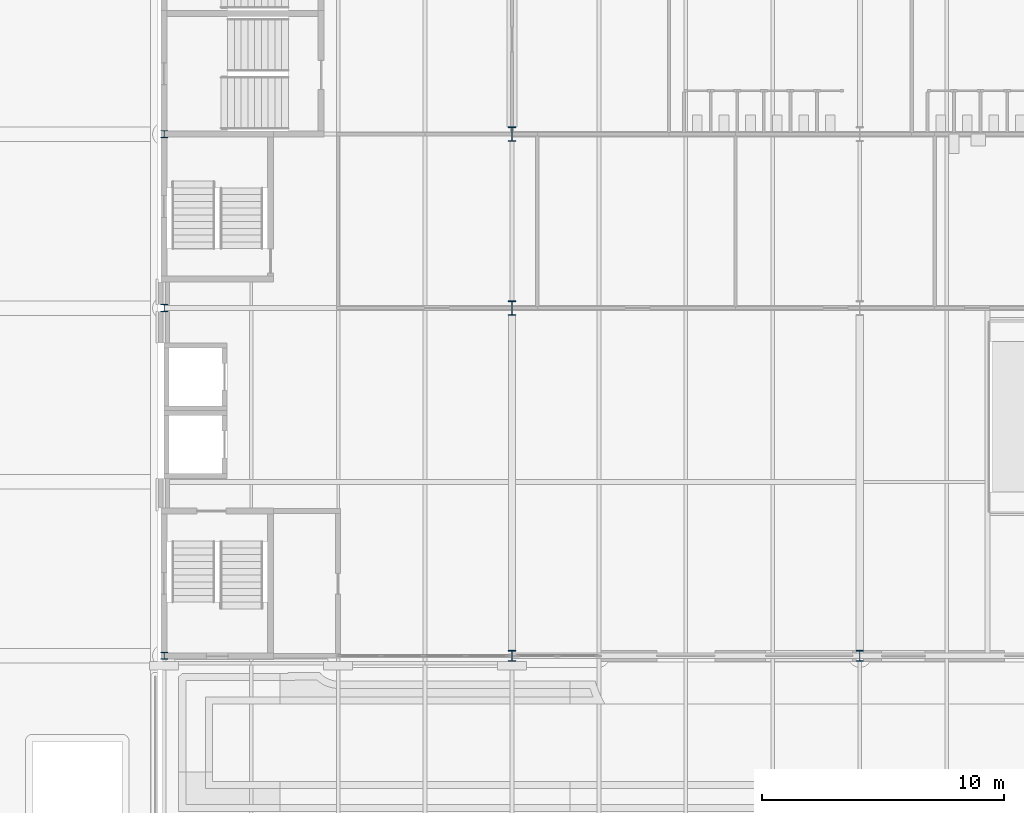
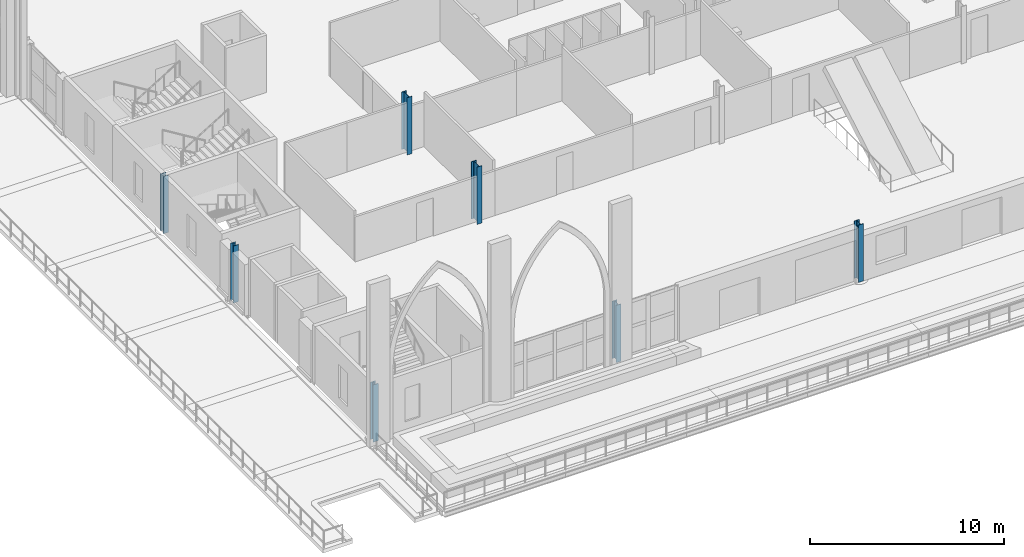
# One storey, part 1 of 143: 7 columns.
"""IFC4 building model written with IfcOpenShell, lengths in metres."""

from ifc_helpers import new_model, si_unit, direction, frame, origin, origin_2d, place, context, subcontext, project, spatial, i_section, extrude, material, material_profile, profile_set, type_object, element, save


model = new_model("IFC4")

# Units and contexts
model_context = context("Model", 3, precision=1e-05, world=origin(), true_north=direction((0.0, 1.0)))
body_context = subcontext(model_context, "Body", "Model", "MODEL_VIEW")
ifc_project = project(units=[si_unit("LENGTHUNIT", "METRE"), si_unit("AREAUNIT", "SQUARE_METRE"), si_unit("VOLUMEUNIT", "CUBIC_METRE"), si_unit("PLANEANGLEUNIT", "RADIAN"), si_unit("MASSUNIT", "GRAM", prefix="KILO")], contexts=[model_context])

# Site, building, storey
site_placement = place(None, origin())
site = spatial("IfcSite", under=ifc_project, at=site_placement, CompositionType="ELEMENT")
building_placement = place(site_placement, origin())
building = spatial("IfcBuilding", under=site, at=building_placement, Name="Kupolbacken Congress Centre", CompositionType="ELEMENT")
storey_placement = place(building_placement, frame((0.0, 0.0, 7.199951171875)))
storey = spatial("IfcBuildingStorey", under=building, at=storey_placement, Name="L02", CompositionType="ELEMENT", Elevation=7.199951171875)

# Columns
ifc_material_1 = material(Name="Steel S355", Category="steel")
ifc_material_profile_1 = material_profile(ifc_material_1, i_section(OverallWidth=0.300048828125, OverallDepth=0.449951171875, WebThickness=0.013916015625, FlangeThickness=0.02587890625, FilletRadius=0.027099609375, at=origin_2d()), Name="HEB 450")
ifc_profile_set_1 = profile_set([ifc_material_profile_1], Name="Steel S355")
column_type_1 = type_object("IfcColumnType", Name="C03 column HEB 450", PredefinedType="COLUMN", material=ifc_profile_set_1)
for number, where, z_axis, x_axis, name in (
    (1, (21.60009765625, 28.800048828125, 0.0), (0.0, 0.0, 1.0), (1.0, 0.0, 0.0), "S/col/C-F-4E/L02"),
    (2, (36.0, 28.800048828125, 0.0), (0.0, 0.0, 1.0), (1.0, 0.0, 0.0), "S/col/C-F-6E/L02"),
):
    element("IfcColumn", number, at=place(storey_placement, frame(where, z_axis=z_axis, x_axis=x_axis)), inside=storey, type_object=column_type_1, Name=name, PredefinedType="COLUMN", context=body_context, shape_type="SweptSolid", body=[
        extrude(i_section(OverallWidth=0.300048828125, OverallDepth=0.449951171875, WebThickness=0.013916015625, FlangeThickness=0.02587890625, FilletRadius=0.027099609375, at=origin_2d()), origin(), (0.0, 0.0, 1.0), 3.60009765625),
    ])
ifc_material_2 = material(Name="Steel S355", Category="steel")
ifc_material_profile_2 = material_profile(ifc_material_2, i_section(OverallWidth=0.300048828125, OverallDepth=0.60009765625, WebThickness=0.015380859375, FlangeThickness=0.030029296875, FilletRadius=0.027099609375, at=origin_2d()), Name="HEB 600")
ifc_profile_set_2 = profile_set([ifc_material_profile_2], Name="Steel S355")
column_type_2 = type_object("IfcColumnType", Name="C05 column HEB 600", PredefinedType="COLUMN", material=ifc_profile_set_2)
for number, where, z_axis, x_axis, name in (
    (3, (21.60009765625, 43.199951171875, 0.0), (0.0, 0.0, 1.0), (1.0, 0.0, 0.0), "S/col/C-F-4G/L02"),
    (4, (21.60009765625, 50.39990234375, 0.0), (0.0, 0.0, 1.0), (1.0, 0.0, 0.0), "S/col/C-F-4H/L02"),
):
    element("IfcColumn", number, at=place(storey_placement, frame(where, z_axis=z_axis, x_axis=x_axis)), inside=storey, type_object=column_type_2, Name=name, PredefinedType="COLUMN", context=body_context, shape_type="SweptSolid", body=[
        extrude(i_section(OverallWidth=0.300048828125, OverallDepth=0.60009765625, WebThickness=0.015380859375, FlangeThickness=0.030029296875, FilletRadius=0.027099609375, at=origin_2d()), origin(), (0.0, 0.0, 1.0), 3.60009765625),
    ])
ifc_material_3 = material(Name="Steel S355", Category="steel")
ifc_material_profile_3 = material_profile(ifc_material_3, i_section(OverallWidth=0.300048828125, OverallDepth=0.300048828125, WebThickness=0.010986328125, FlangeThickness=0.01904296875, FilletRadius=0.027099609375, at=origin_2d()), Name="HEB 300")
ifc_profile_set_3 = profile_set([ifc_material_profile_3], Name="Steel S355")
column_type_3 = type_object("IfcColumnType", Name="C06 column HEB 300", PredefinedType="COLUMN", material=ifc_profile_set_3)
for number, where, z_axis, x_axis, name in (
    (5, (7.199951171875, 28.800048828125, 0.0), (0.0, 0.0, 1.0), (1.0, 0.0, 0.0), "S/col/C-F-2E/L02"),
    (6, (7.199951171875, 43.199951171875, 0.0), (0.0, 0.0, 1.0), (1.0, 0.0, 0.0), "S/col/C-F-2G/L02"),
    (7, (7.199951171875, 50.39990234375, 0.0), (0.0, 0.0, 1.0), (1.0, 0.0, 0.0), "S/col/C-F-2H/L02"),
):
    element("IfcColumn", number, at=place(storey_placement, frame(where, z_axis=z_axis, x_axis=x_axis)), inside=storey, type_object=column_type_3, Name=name, PredefinedType="COLUMN", context=body_context, shape_type="SweptSolid", body=[
        extrude(i_section(OverallWidth=0.300048828125, OverallDepth=0.300048828125, WebThickness=0.010986328125, FlangeThickness=0.01904296875, FilletRadius=0.027099609375, at=origin_2d()), origin(), (0.0, 0.0, 1.0), 3.60009765625),
    ])

save(model, "model.ifc")
